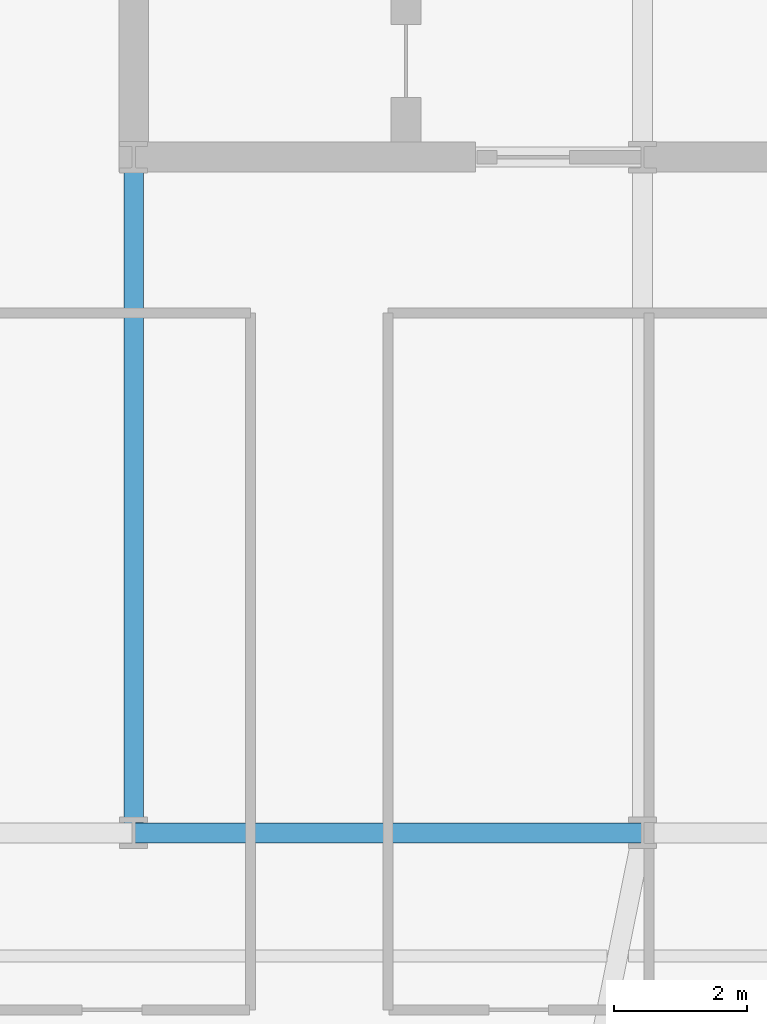
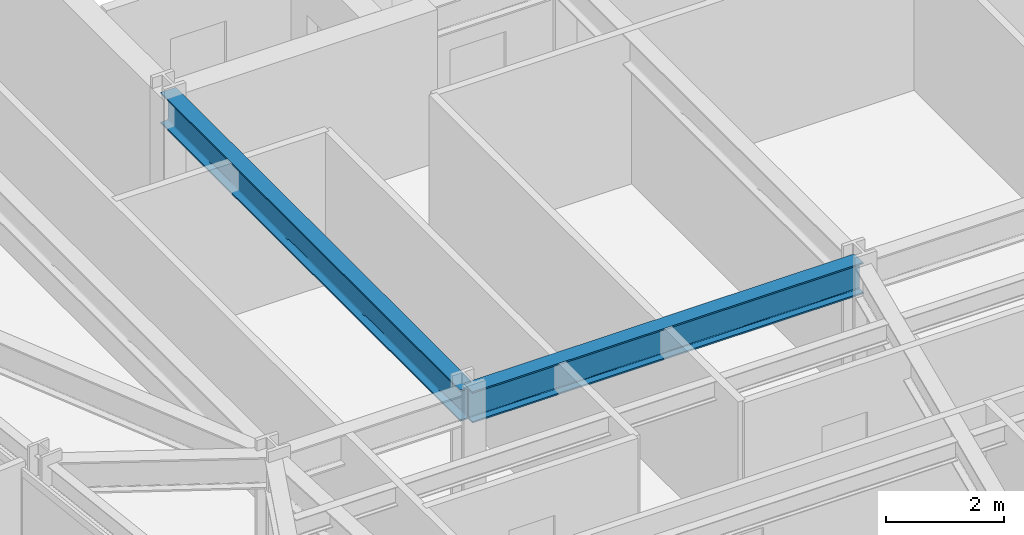
# One storey, part 7 of 33: 2 beams.
"""IFC4 building model written with IfcOpenShell, lengths in metres."""

from ifc_helpers import new_model, si_unit, direction, frame, origin, origin_2d, place, context, subcontext, project, spatial, i_section, extrude, material, material_profile, profile_set, type_object, element, save


model = new_model("IFC4")

# Units and contexts
model_context = context("Model", 3, precision=1e-05, world=origin(), true_north=direction((0.0, 1.0)))
body_context = subcontext(model_context, "Body", "Model", "MODEL_VIEW")
ifc_project = project(units=[si_unit("LENGTHUNIT", "METRE"), si_unit("AREAUNIT", "SQUARE_METRE"), si_unit("VOLUMEUNIT", "CUBIC_METRE"), si_unit("PLANEANGLEUNIT", "RADIAN"), si_unit("MASSUNIT", "GRAM", prefix="KILO")], contexts=[model_context])

# Site, building, storey
site_placement = place(None, origin())
site = spatial("IfcSite", under=ifc_project, at=site_placement, CompositionType="ELEMENT")
building_placement = place(site_placement, origin())
building = spatial("IfcBuilding", under=site, at=building_placement, Name="Yelkora Congress Tower", CompositionType="ELEMENT")
storey_placement = place(building_placement, frame((0.0, 0.0, 123.699951171875)))
storey = spatial("IfcBuildingStorey", under=building, at=storey_placement, Name="L33", CompositionType="ELEMENT", Elevation=123.699951171875)

# Beams
ifc_material = material(Name="Steel S355J2", Category="steel")
ifc_material_profile = material_profile(ifc_material, i_section(OverallWidth=0.300048828125, OverallDepth=0.64990234375, WebThickness=0.01611328125, FlangeThickness=0.031005859375, FilletRadius=0.027099609375, at=origin_2d()), Name="HEB 650")
ifc_profile_set = profile_set([ifc_material_profile], Name="Steel S355J2")
beam_type = type_object("IfcBeamType", Name="BM-GIRD-HEB650", PredefinedType="BEAM", material=ifc_profile_set)
beam_1_placement = place(storey_placement, frame((23.0400390625, 25.199951171875, 2.85498046875), z_axis=(1.0, 0.0, 0.0), x_axis=(0.0, 1.0, 0.0)))
element("IfcBeam", 1, at=beam_1_placement, inside=storey, type_object=beam_type, Name="L33 Spine Grid D Girder 2", PredefinedType="BEAM", context=body_context, shape_type="SweptSolid", body=[
    extrude(i_section(OverallWidth=0.300048828125, OverallDepth=0.64990234375, WebThickness=0.01611328125, FlangeThickness=0.031005859375, FilletRadius=0.027099609375, at=origin_2d()), origin(), (0.0, 0.0, 1.0), 7.679931640625),
])
beam_2_placement = place(storey_placement, frame((23.0400390625, 25.199951171875, 2.85498046875), z_axis=(0.0, 1.0, 0.0), x_axis=(-1.0, 0.0, 0.0)))
element("IfcBeam", 2, at=beam_2_placement, inside=storey, type_object=beam_type, Name="L33 Core Tie Girder MC-D1", PredefinedType="BEAM", context=body_context, shape_type="SweptSolid", body=[
    extrude(i_section(OverallWidth=0.300048828125, OverallDepth=0.64990234375, WebThickness=0.01611328125, FlangeThickness=0.031005859375, FilletRadius=0.027099609375, at=origin_2d()), origin(), (0.0, 0.0, 1.0), 10.199951171875),
])

save(model, "model.ifc")
